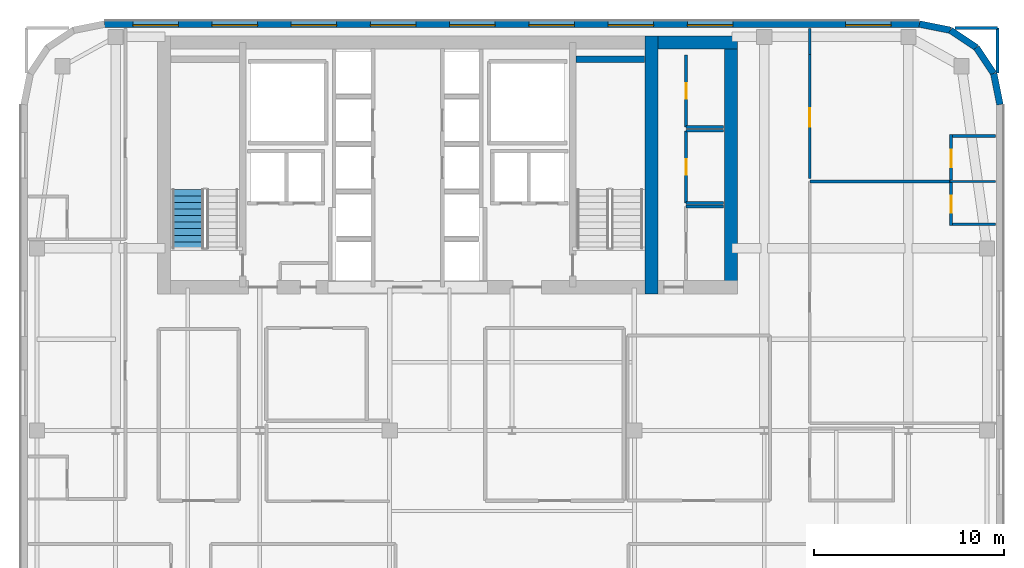
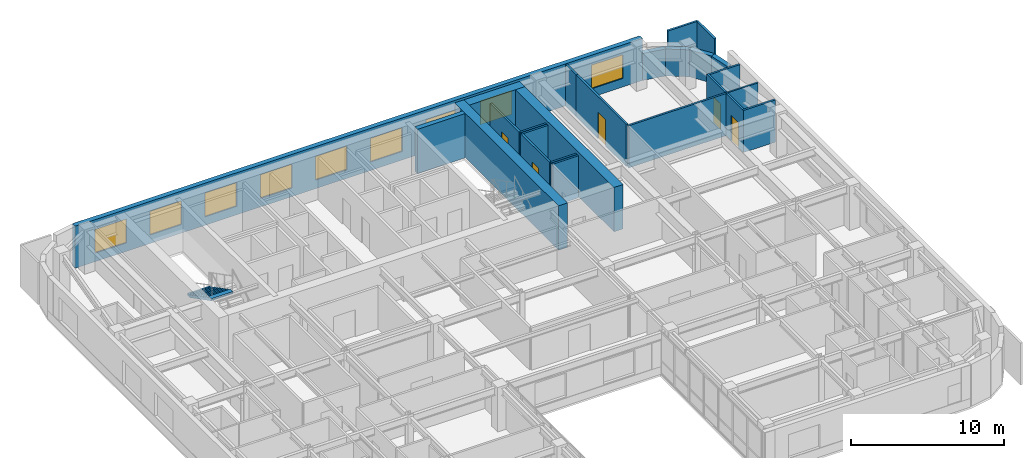
# One storey, part 14 of 20: 25 walls, 9 windows, 5 doors, 1 stair flight, 14 openings, 1 element without a shape of its own.
"""IFC4 building model written with IfcOpenShell, lengths in metres."""

from ifc_helpers import new_model, si_unit, direction, frame, frame_2d, origin, place, context, subcontext, project, spatial, polyline, rectangle, outline, extrude, source, transform, mapped, material, layer, layer_set, type_object, type_shapes, element, fill, aggregate, save


model = new_model("IFC4")

# Units and contexts
model_context = context("Model", 3, precision=1e-05, world=origin(), true_north=direction((0.0, 1.0)))
body_context = subcontext(model_context, "Body", "Model", "MODEL_VIEW")
ifc_project = project(units=[si_unit("LENGTHUNIT", "METRE"), si_unit("AREAUNIT", "SQUARE_METRE"), si_unit("VOLUMEUNIT", "CUBIC_METRE"), si_unit("PLANEANGLEUNIT", "RADIAN"), si_unit("MASSUNIT", "GRAM", prefix="KILO")], contexts=[model_context])

# Site, building, storey
site_placement = place(None, origin())
site = spatial("IfcSite", under=ifc_project, at=site_placement, CompositionType="ELEMENT")
building_placement = place(site_placement, origin())
building = spatial("IfcBuilding", under=site, at=building_placement, Name="Tolvann Quenvar Hotel", CompositionType="ELEMENT")
storey_placement = place(building_placement, frame((0.0, 0.0, 175.449951171875)))
storey = spatial("IfcBuildingStorey", under=building, at=storey_placement, Name="L46", CompositionType="ELEMENT", Elevation=175.449951171875)

# Walls
ifc_material_1 = material(Name="Concrete S65 (65 MPa)", Category="concrete")
ifc_layer_1 = layer(ifc_material_1, 0.699951171875)
ifc_layer_set_1 = layer_set([ifc_layer_1], Name="Concrete S65 (65 MPa)")
wall_type_1 = type_object("IfcWallType", Name="WALL_CORE_700", PredefinedType="SHEAR", material=ifc_layer_set_1)
wall_1_placement = place(storey_placement, frame((35.85009765625, 31.60009765625, 0.0), z_axis=(0.0, 0.0, 1.0), x_axis=(0.0, 1.0, 0.0)))
element("IfcWall", 1, at=wall_1_placement, inside=storey, type_object=wall_type_1, Name="Rear Core E Shear Wall (L46)", PredefinedType="SHEAR", context=body_context, shape_type="SweptSolid", body=[
    extrude(rectangle(XDim=13.599853515625, YDim=0.699951171875, at=frame_2d((6.7998046875, 0.0))), origin(), (0.0, 0.0, 1.0), 3.550048828125),
])
wall_2_placement = place(storey_placement, frame((36.199951171875, 44.85009765625, 0.0), z_axis=(0.0, 0.0, 1.0), x_axis=(1.0, 0.0, 0.0)))
element("IfcWall", 2, at=wall_2_placement, inside=storey, type_object=wall_type_1, Name="Core East Annex Shear Wall ANN-N (L46)", PredefinedType="SHEAR", context=body_context, shape_type="SweptSolid", body=[
    extrude(rectangle(XDim=4.199951171875, YDim=0.699951171875, at=frame_2d((2.10009765625, 0.0))), origin(), (0.0, 0.0, 1.0), 3.550048828125),
])
wall_3_placement = place(storey_placement, frame((40.050048828125, 31.60009765625, 0.0), z_axis=(0.0, 0.0, 1.0), x_axis=(0.0, 1.0, 0.0)))
element("IfcWall", 3, at=wall_3_placement, inside=storey, type_object=wall_type_1, Name="Core East Annex Shear Wall ANN-E (L46)", PredefinedType="SHEAR", context=body_context, shape_type="SweptSolid", body=[
    extrude(rectangle(XDim=13.599853515625, YDim=0.699951171875, at=frame_2d((6.7998046875, 0.0))), origin(), (0.0, 0.0, 1.0), 3.550048828125),
])
ifc_layer_2 = layer(ifc_material_1, 0.35009765625)
ifc_layer_set_2 = layer_set([ifc_layer_2], Name="Concrete S65 (65 MPa)")
wall_type_2 = type_object("IfcWallType", Name="WALL_CORE_INT_350", PredefinedType="SHEAR", material=ifc_layer_set_2)
wall_4_placement = place(storey_placement, frame((31.8798828125, 43.97509765625, 0.0), z_axis=(0.0, 0.0, 1.0), x_axis=(1.0, 0.0, 0.0)))
element("IfcWall", 4, at=wall_4_placement, inside=storey, type_object=wall_type_2, Name="Core Stair North Closing Shear Wall STC2-N (L46)", PredefinedType="SHEAR", context=body_context, shape_type="SweptSolid", body=[
    extrude(rectangle(XDim=3.60009765625, YDim=0.35009765625, at=frame_2d((1.800048828125, 0.0))), origin(), (0.0, 0.0, 1.0), 3.550048828125),
])
ifc_material_2 = material(Name="Kiln-fired red and buff architectural clay brickwork and terracotta masonry", Category="masonry")
ifc_layer_3 = layer(ifc_material_2, 0.35009765625)
ifc_layer_set_3 = layer_set([ifc_layer_3], Name="Kiln-fired red and buff architectural clay brickwork and terracotta masonry")
wall_type_3 = type_object("IfcWallType", Name="WALL_EXT_BRICK_350", PredefinedType="SOLIDWALL", material=ifc_layer_set_3)
wall_5_placement = place(storey_placement, frame((54.22509765625, 41.582763671875, 0.0), z_axis=(0.0, 0.0, 1.0), x_axis=(-0.195044345786, 0.980794424524, 0.0)))
element("IfcWall", 5, at=wall_5_placement, inside=storey, type_object=wall_type_3, Name="Exterior Chicago Brick Wall L46-E14", PredefinedType="SOLIDWALL", context=body_context, shape_type="SweptSolid", body=[
    extrude(rectangle(XDim=1.664794921875, YDim=0.35009765625, at=frame_2d((0.83251953125, 0.0))), origin(), (0.0, 0.0, 1.0), 2.16015625),
])
for number, where, z_axis, x_axis, name in (
    (6, (53.900390625, 43.215576171875, 0.0), (0.0, 0.0, 1.0), (-0.555623290322, 0.831434158098, 0.0), "Exterior Chicago Brick Wall L46-E15"),
    (7, (52.985107421875, 44.585205078125, 0.0), (0.0, 0.0, 1.0), (-0.831502623162, 0.555520825599, 0.0), "Exterior Chicago Brick Wall L46-E16"),
):
    element("IfcWall", number, at=place(storey_placement, frame(where, z_axis=z_axis, x_axis=x_axis)), inside=storey, type_object=wall_type_3, Name=name, PredefinedType="SOLIDWALL", context=body_context, shape_type="SweptSolid", body=[
        extrude(rectangle(XDim=1.647216796875, YDim=0.35009765625, at=frame_2d((0.82373046875, 0.0))), origin(), (0.0, 0.0, 1.0), 2.16015625),
    ])
wall_6_placement = place(storey_placement, frame((51.615478515625, 45.500244140625, 0.0), z_axis=(0.0, 0.0, 1.0), x_axis=(-0.980788844421, 0.195072403631, 0.0)))
element("IfcWall", 8, at=wall_6_placement, inside=storey, type_object=wall_type_3, Name="Exterior Chicago Brick Wall L46-E17", PredefinedType="SOLIDWALL", context=body_context, shape_type="SweptSolid", body=[
    extrude(rectangle(XDim=1.66455078125, YDim=0.35009765625, at=frame_2d((0.832275390625, 0.0))), origin(), (0.0, 0.0, 1.0), 2.16015625),
])

# Wall, openings, windows
wall_7_placement = place(storey_placement, frame((49.98291015625, 45.824951171875, 0.0), z_axis=(0.0, 0.0, 1.0), x_axis=(-1.0, 0.0, 0.0)))
wall_7 = element("IfcWall", 9, at=wall_7_placement, inside=storey, type_object=wall_type_3, Name="Exterior Chicago Brick Wall L46-E18", PredefinedType="SOLIDWALL", context=body_context, shape_type="SweptSolid", body=[
    extrude(rectangle(XDim=42.9658203125, YDim=0.35009765625, at=frame_2d((21.48291015625, 0.0))), origin(), (0.0, 0.0, 1.0), 3.3701171875),
])
opening_1_placement = place(wall_7_placement, frame((1.488037109375, 0.0, 0.679931640625)))
opening_1 = element("IfcOpeningElement", 10, at=opening_1_placement, cuts=wall_7, Name="Opening W-01", PredefinedType="OPENING", context=body_context, shape_type="SweptSolid", body=[
    extrude(rectangle(XDim=2.39990234375, YDim=1.89990234375, at=frame_2d((1.199951171875, 0.949951171875))), frame((0.0, 0.18505859375, 0.0), z_axis=(0.0, -1.0, 0.0), x_axis=(1.0, 0.0, 0.0)), (0.0, 0.0, 1.0), 0.3701171875),
])
opening_2_placement = place(wall_7_placement, frame((9.841064453125, 0.0, 0.679931640625)))
opening_2 = element("IfcOpeningElement", 11, at=opening_2_placement, cuts=wall_7, Name="Opening W-01", PredefinedType="OPENING", context=body_context, shape_type="SweptSolid", body=[
    extrude(rectangle(XDim=2.39990234375, YDim=1.89990234375, at=frame_2d((1.199951171875, 0.949951171875))), frame((0.0, 0.18505859375, 0.0), z_axis=(0.0, -1.0, 0.0), x_axis=(1.0, 0.0, 0.0)), (0.0, 0.0, 1.0), 0.3701171875),
])
opening_3_placement = place(wall_7_placement, frame((14.01806640625, 0.0, 0.679931640625)))
opening_3 = element("IfcOpeningElement", 12, at=opening_3_placement, cuts=wall_7, Name="Opening W-01", PredefinedType="OPENING", context=body_context, shape_type="SweptSolid", body=[
    extrude(rectangle(XDim=2.39990234375, YDim=1.89990234375, at=frame_2d((1.199951171875, 0.949951171875))), frame((0.0, 0.18505859375, 0.0), z_axis=(0.0, -1.0, 0.0), x_axis=(1.0, 0.0, 0.0)), (0.0, 0.0, 1.0), 0.3701171875),
])
opening_4_placement = place(wall_7_placement, frame((18.195068359375, 0.0, 0.679931640625)))
opening_4 = element("IfcOpeningElement", 13, at=opening_4_placement, cuts=wall_7, Name="Opening W-01", PredefinedType="OPENING", context=body_context, shape_type="SweptSolid", body=[
    extrude(rectangle(XDim=2.39990234375, YDim=1.89990234375, at=frame_2d((1.199951171875, 0.949951171875))), frame((0.0, 0.18505859375, 0.0), z_axis=(0.0, -1.0, 0.0), x_axis=(1.0, 0.0, 0.0)), (0.0, 0.0, 1.0), 0.3701171875),
])
opening_5_placement = place(wall_7_placement, frame((22.37109375, 0.0, 0.679931640625)))
opening_5 = element("IfcOpeningElement", 14, at=opening_5_placement, cuts=wall_7, Name="Opening W-01", PredefinedType="OPENING", context=body_context, shape_type="SweptSolid", body=[
    extrude(rectangle(XDim=2.39990234375, YDim=1.89990234375, at=frame_2d((1.199951171875, 0.949951171875))), frame((0.0, 0.18505859375, 0.0), z_axis=(0.0, -1.0, 0.0), x_axis=(1.0, 0.0, 0.0)), (0.0, 0.0, 1.0), 0.3701171875),
])
opening_6_placement = place(wall_7_placement, frame((26.548095703125, 0.0, 0.679931640625)))
opening_6 = element("IfcOpeningElement", 15, at=opening_6_placement, cuts=wall_7, Name="Opening W-01", PredefinedType="OPENING", context=body_context, shape_type="SweptSolid", body=[
    extrude(rectangle(XDim=2.39990234375, YDim=1.89990234375, at=frame_2d((1.199951171875, 0.949951171875))), frame((0.0, 0.18505859375, 0.0), z_axis=(0.0, -1.0, 0.0), x_axis=(1.0, 0.0, 0.0)), (0.0, 0.0, 1.0), 0.3701171875),
])
opening_7_placement = place(wall_7_placement, frame((30.72412109375, 0.0, 0.679931640625)))
opening_7 = element("IfcOpeningElement", 16, at=opening_7_placement, cuts=wall_7, Name="Opening W-01", PredefinedType="OPENING", context=body_context, shape_type="SweptSolid", body=[
    extrude(rectangle(XDim=2.39990234375, YDim=1.89990234375, at=frame_2d((1.199951171875, 0.949951171875))), frame((0.0, 0.18505859375, 0.0), z_axis=(0.0, -1.0, 0.0), x_axis=(1.0, 0.0, 0.0)), (0.0, 0.0, 1.0), 0.3701171875),
])
opening_8_placement = place(wall_7_placement, frame((34.90087890625, 0.0, 0.679931640625)))
opening_8 = element("IfcOpeningElement", 17, at=opening_8_placement, cuts=wall_7, Name="Opening W-01", PredefinedType="OPENING", context=body_context, shape_type="SweptSolid", body=[
    extrude(rectangle(XDim=2.39990234375, YDim=1.89990234375, at=frame_2d((1.199951171875, 0.949951171875))), frame((0.0, 0.18505859375, 0.0), z_axis=(0.0, -1.0, 0.0), x_axis=(1.0, 0.0, 0.0)), (0.0, 0.0, 1.0), 0.3701171875),
])
opening_9_placement = place(wall_7_placement, frame((39.076904296875, 0.0, 0.679931640625)))
opening_9 = element("IfcOpeningElement", 18, at=opening_9_placement, cuts=wall_7, Name="Opening W-01", PredefinedType="OPENING", context=body_context, shape_type="SweptSolid", body=[
    extrude(rectangle(XDim=2.39990234375, YDim=1.89990234375, at=frame_2d((1.199951171875, 0.949951171875))), frame((0.0, 0.18505859375, 0.0), z_axis=(0.0, -1.0, 0.0), x_axis=(1.0, 0.0, 0.0)), (0.0, 0.0, 1.0), 0.3701171875),
])
ifc_material_3 = material(Name="Thermally broken bronze-anodised aluminium frame with double low-E glazing", Category="aluminium")
window_type = type_object("IfcWindowType", Name="WIN_CHI_2400x2050", PartitioningType="TRIPLE_PANEL_HORIZONTAL", PredefinedType="WINDOW", material=ifc_material_3)
shared_shape_1 = source(origin(), body_context, "Body", "SweptSolid", [
    extrude(rectangle(XDim=2.39990234375, YDim=1.89990234375, at=frame_2d((1.199951171875, 0.949951171875))), frame((0.0, 0.090087890625, 0.0), z_axis=(0.0, -1.0, 0.0), x_axis=(1.0, 0.0, 0.0)), (0.0, 0.0, 1.0), 0.06005859375),
])
type_shapes(window_type, [shared_shape_1])
window_1_placement = place(opening_1_placement, origin())
window_1 = element("IfcWindow", 19, at=window_1_placement, inside=storey, type_object=window_type, Name="Chicago Window W-01 (EW-L46-E18-W01)", OverallHeight=1.89990234375, OverallWidth=2.39990234375, PartitioningType="TRIPLE_PANEL_HORIZONTAL", PredefinedType="WINDOW", context=body_context, shape_type="MappedRepresentation", body=[
    mapped(shared_shape_1, transform((0.0, 0.0, 0.0), x_axis=(1.0, 0.0, 0.0), y_axis=(0.0, 1.0, 0.0), z_axis=(0.0, 0.0, 1.0), scale=1.0)),
])
fill(opening_1, window_1)
window_2_placement = place(opening_2_placement, origin())
window_2 = element("IfcWindow", 20, at=window_2_placement, inside=storey, type_object=window_type, Name="Chicago Window W-01 (EW-L46-E18-W02)", OverallHeight=1.89990234375, OverallWidth=2.39990234375, PartitioningType="TRIPLE_PANEL_HORIZONTAL", PredefinedType="WINDOW", context=body_context, shape_type="MappedRepresentation", body=[
    mapped(shared_shape_1, transform((0.0, 0.0, 0.0), x_axis=(1.0, 0.0, 0.0), y_axis=(0.0, 1.0, 0.0), z_axis=(0.0, 0.0, 1.0), scale=1.0)),
])
fill(opening_2, window_2)
window_3_placement = place(opening_3_placement, origin())
window_3 = element("IfcWindow", 21, at=window_3_placement, inside=storey, type_object=window_type, Name="Chicago Window W-01 (EW-L46-E18-W03)", OverallHeight=1.89990234375, OverallWidth=2.39990234375, PartitioningType="TRIPLE_PANEL_HORIZONTAL", PredefinedType="WINDOW", context=body_context, shape_type="MappedRepresentation", body=[
    mapped(shared_shape_1, transform((0.0, 0.0, 0.0), x_axis=(1.0, 0.0, 0.0), y_axis=(0.0, 1.0, 0.0), z_axis=(0.0, 0.0, 1.0), scale=1.0)),
])
fill(opening_3, window_3)
window_4_placement = place(opening_4_placement, origin())
window_4 = element("IfcWindow", 22, at=window_4_placement, inside=storey, type_object=window_type, Name="Chicago Window W-01 (EW-L46-E18-W04)", OverallHeight=1.89990234375, OverallWidth=2.39990234375, PartitioningType="TRIPLE_PANEL_HORIZONTAL", PredefinedType="WINDOW", context=body_context, shape_type="MappedRepresentation", body=[
    mapped(shared_shape_1, transform((0.0, 0.0, 0.0), x_axis=(1.0, 0.0, 0.0), y_axis=(0.0, 1.0, 0.0), z_axis=(0.0, 0.0, 1.0), scale=1.0)),
])
fill(opening_4, window_4)
window_5_placement = place(opening_5_placement, origin())
window_5 = element("IfcWindow", 23, at=window_5_placement, inside=storey, type_object=window_type, Name="Chicago Window W-01 (EW-L46-E18-W05)", OverallHeight=1.89990234375, OverallWidth=2.39990234375, PartitioningType="TRIPLE_PANEL_HORIZONTAL", PredefinedType="WINDOW", context=body_context, shape_type="MappedRepresentation", body=[
    mapped(shared_shape_1, transform((0.0, 0.0, 0.0), x_axis=(1.0, 0.0, 0.0), y_axis=(0.0, 1.0, 0.0), z_axis=(0.0, 0.0, 1.0), scale=1.0)),
])
fill(opening_5, window_5)
window_6_placement = place(opening_6_placement, origin())
window_6 = element("IfcWindow", 24, at=window_6_placement, inside=storey, type_object=window_type, Name="Chicago Window W-01 (EW-L46-E18-W06)", OverallHeight=1.89990234375, OverallWidth=2.39990234375, PartitioningType="TRIPLE_PANEL_HORIZONTAL", PredefinedType="WINDOW", context=body_context, shape_type="MappedRepresentation", body=[
    mapped(shared_shape_1, transform((0.0, 0.0, 0.0), x_axis=(1.0, 0.0, 0.0), y_axis=(0.0, 1.0, 0.0), z_axis=(0.0, 0.0, 1.0), scale=1.0)),
])
fill(opening_6, window_6)
window_7_placement = place(opening_7_placement, origin())
window_7 = element("IfcWindow", 25, at=window_7_placement, inside=storey, type_object=window_type, Name="Chicago Window W-01 (EW-L46-E18-W07)", OverallHeight=1.89990234375, OverallWidth=2.39990234375, PartitioningType="TRIPLE_PANEL_HORIZONTAL", PredefinedType="WINDOW", context=body_context, shape_type="MappedRepresentation", body=[
    mapped(shared_shape_1, transform((0.0, 0.0, 0.0), x_axis=(1.0, 0.0, 0.0), y_axis=(0.0, 1.0, 0.0), z_axis=(0.0, 0.0, 1.0), scale=1.0)),
])
fill(opening_7, window_7)
window_8_placement = place(opening_8_placement, origin())
window_8 = element("IfcWindow", 26, at=window_8_placement, inside=storey, type_object=window_type, Name="Chicago Window W-01 (EW-L46-E18-W08)", OverallHeight=1.89990234375, OverallWidth=2.39990234375, PartitioningType="TRIPLE_PANEL_HORIZONTAL", PredefinedType="WINDOW", context=body_context, shape_type="MappedRepresentation", body=[
    mapped(shared_shape_1, transform((0.0, 0.0, 0.0), x_axis=(1.0, 0.0, 0.0), y_axis=(0.0, 1.0, 0.0), z_axis=(0.0, 0.0, 1.0), scale=1.0)),
])
fill(opening_8, window_8)
window_9_placement = place(opening_9_placement, origin())
window_9 = element("IfcWindow", 27, at=window_9_placement, inside=storey, type_object=window_type, Name="Chicago Window W-01 (EW-L46-E18-W09)", OverallHeight=1.89990234375, OverallWidth=2.39990234375, PartitioningType="TRIPLE_PANEL_HORIZONTAL", PredefinedType="WINDOW", context=body_context, shape_type="MappedRepresentation", body=[
    mapped(shared_shape_1, transform((0.0, 0.0, 0.0), x_axis=(1.0, 0.0, 0.0), y_axis=(0.0, 1.0, 0.0), z_axis=(0.0, 0.0, 1.0), scale=1.0)),
])
fill(opening_9, window_9)

# Wall
ifc_material_4 = material(Name="Moisture-resistant acoustic plumbing wall assembly")
ifc_layer_4 = layer(ifc_material_4, 0.1201171875)
ifc_layer_set_4 = layer_set([ifc_layer_4], Name="Moisture-resistant acoustic plumbing wall assembly")
wall_type_4 = type_object("IfcWallType", Name="WALL_PART_BATH_120", PredefinedType="PLUMBINGWALL", material=ifc_layer_set_4)
wall_8_placement = place(storey_placement, frame((51.580078125, 37.52001953125, 0.0), z_axis=(0.0, 0.0, 1.0), x_axis=(1.0, 0.0, 0.0)))
element("IfcWall", 28, at=wall_8_placement, inside=storey, type_object=wall_type_4, Name="Non-Rated Plumbing Partition PT-SPC-L46-ENS-NE01-N", PredefinedType="PLUMBINGWALL", context=body_context, shape_type="SweptSolid", body=[
    extrude(rectangle(XDim=2.4150390625, YDim=0.1201171875, at=frame_2d((1.20751953125, 0.0))), origin(), (0.0, 0.0, 1.0), 3.3701171875),
])

# Wall, opening, door
ifc_material_5 = material(Name="Acoustic twin-stud fire-rated gypsum plasterboard partition")
ifc_layer_5 = layer(ifc_material_5, 0.14990234375)
ifc_layer_set_5 = layer_set([ifc_layer_5], Name="Acoustic twin-stud fire-rated gypsum plasterboard partition")
wall_type_5 = type_object("IfcWallType", Name="WALL_PART_SUITE_150", PredefinedType="PARTITIONING", material=ifc_layer_set_5)
wall_9_placement = place(storey_placement, frame((51.64990234375, 35.199951171875, 0.0), z_axis=(0.0, 0.0, 1.0), x_axis=(0.0, 1.0, 0.0)))
wall_9 = element("IfcWall", 29, at=wall_9_placement, inside=storey, type_object=wall_type_5, Name="Interior Partition PT-SPC-L46-ENS-NE01-ENT", PredefinedType="PARTITIONING", context=body_context, shape_type="SweptSolid", body=[
    extrude(rectangle(XDim=2.39013671875, YDim=0.14990234375, at=frame_2d((1.195068359375, 0.0))), origin(), (0.0, 0.0, 1.0), 3.3701171875),
])
opening_10_placement = place(wall_9_placement, frame((0.6650390625, 0.0, 0.0)))
opening_10 = element("IfcOpeningElement", 30, at=opening_10_placement, cuts=wall_9, Name="Opening WD-01", PredefinedType="OPENING", context=body_context, shape_type="SweptSolid", body=[
    extrude(rectangle(XDim=0.919921875, YDim=2.010009765625, at=frame_2d((0.4599609375, 1.0048828125))), frame((0.0, 0.0849609375, 0.0), z_axis=(0.0, -1.0, 0.0), x_axis=(1.0, 0.0, 0.0)), (0.0, 0.0, 1.0), 0.169921875),
])
ifc_material_6 = material(Name="Solid-core American oak acoustic fire door leaf in steel frame", Category="steel")
door_type_1 = type_object("IfcDoorType", Name="DOOR_WC_920", OperationType="NOTDEFINED", PredefinedType="DOOR", material=ifc_material_6)
shared_shape_2 = source(origin(), body_context, "Body", "SweptSolid", [
    extrude(rectangle(XDim=0.919921875, YDim=2.010009765625, at=frame_2d((0.4599609375, 1.0048828125))), frame((0.0, 0.02490234375, 0.0), z_axis=(0.0, -1.0, 0.0), x_axis=(1.0, 0.0, 0.0)), (0.0, 0.0, 1.0), 0.050048828125),
])
type_shapes(door_type_1, [shared_shape_2])
door_1_placement = place(opening_10_placement, origin())
door_1 = element("IfcDoor", 31, at=door_1_placement, inside=storey, type_object=door_type_1, Name="Interior Door DOOR-SPC-L46-ENS-NE01", OperationType="SINGLE_SWING_RIGHT", OverallHeight=2.010009765625, OverallWidth=0.919921875, PredefinedType="DOOR", context=body_context, shape_type="MappedRepresentation", body=[
    mapped(shared_shape_2, transform((0.0, 0.0, 0.0), x_axis=(1.0, 0.0, 0.0), y_axis=(0.0, 1.0, 0.0), z_axis=(0.0, 0.0, 1.0), scale=1.0)),
])
fill(opening_10, door_1)

# Wall
wall_10_placement = place(storey_placement, frame((51.580078125, 35.27001953125, 0.0), z_axis=(0.0, 0.0, 1.0), x_axis=(1.0, 0.0, 0.0)))
element("IfcWall", 32, at=wall_10_placement, inside=storey, type_object=wall_type_5, Name="Interior Partition PT-SPC-L46-ENS-NE01-S", PredefinedType="PARTITIONING", context=body_context, shape_type="SweptSolid", body=[
    extrude(rectangle(XDim=2.4150390625, YDim=0.14990234375, at=frame_2d((1.20751953125, 0.0))), origin(), (0.0, 0.0, 1.0), 3.3701171875),
])

# Wall, opening, door
wall_11_placement = place(storey_placement, frame((51.64990234375, 37.610107421875, 0.0), z_axis=(0.0, 0.0, 1.0), x_axis=(0.0, 1.0, 0.0)))
wall_11 = element("IfcWall", 33, at=wall_11_placement, inside=storey, type_object=wall_type_5, Name="Interior Partition PT-SPC-L46-ENS-NE02-ENT", PredefinedType="PARTITIONING", context=body_context, shape_type="SweptSolid", body=[
    extrude(rectangle(XDim=2.389892578125, YDim=0.14990234375, at=frame_2d((1.19482421875, 0.0))), origin(), (0.0, 0.0, 1.0), 3.3701171875),
])
opening_11_placement = place(wall_11_placement, frame((0.6650390625, 0.0, 0.0)))
opening_11 = element("IfcOpeningElement", 34, at=opening_11_placement, cuts=wall_11, Name="Opening WD-01", PredefinedType="OPENING", context=body_context, shape_type="SweptSolid", body=[
    extrude(rectangle(XDim=0.919921875, YDim=2.010009765625, at=frame_2d((0.4599609375, 1.0048828125))), frame((0.0, 0.0849609375, 0.0), z_axis=(0.0, -1.0, 0.0), x_axis=(1.0, 0.0, 0.0)), (0.0, 0.0, 1.0), 0.169921875),
])
door_2_placement = place(opening_11_placement, origin())
door_2 = element("IfcDoor", 35, at=door_2_placement, inside=storey, type_object=door_type_1, Name="Interior Door DOOR-SPC-L46-ENS-NE02", OperationType="SINGLE_SWING_LEFT", OverallHeight=2.010009765625, OverallWidth=0.919921875, PredefinedType="DOOR", context=body_context, shape_type="MappedRepresentation", body=[
    mapped(shared_shape_2, transform((0.0, 0.0, 0.0), x_axis=(1.0, 0.0, 0.0), y_axis=(0.0, 1.0, 0.0), z_axis=(0.0, 0.0, 1.0), scale=1.0)),
])
fill(opening_11, door_2)

# Walls
wall_12_placement = place(storey_placement, frame((51.580078125, 39.929931640625, 0.0), z_axis=(0.0, 0.0, 1.0), x_axis=(1.0, 0.0, 0.0)))
element("IfcWall", 36, at=wall_12_placement, inside=storey, type_object=wall_type_5, Name="Interior Partition PT-SPC-L46-ENS-NE02-N", PredefinedType="PARTITIONING", context=body_context, shape_type="SweptSolid", body=[
    extrude(rectangle(XDim=2.4150390625, YDim=0.14990234375, at=frame_2d((1.20751953125, 0.0))), origin(), (0.0, 0.0, 1.0), 3.3701171875),
])
for number, where, z_axis, x_axis, name in (
    (37, (37.679931640625, 36.199951171875, 0.0), (0.0, 0.0, 1.0), (1.0, 0.0, 0.0), "Interior Partition PT-SPC-L46-RECPL-1-N"),
    (38, (37.679931640625, 36.39990234375, 0.0), (0.0, 0.0, 1.0), (1.0, 0.0, 0.0), "Interior Partition PT-SPC-L46-CSE-1-S"),
    (39, (37.679931640625, 40.199951171875, 0.0), (0.0, 0.0, 1.0), (1.0, 0.0, 0.0), "Interior Partition PT-SPC-L46-CSE-1-N"),
):
    element("IfcWall", number, at=place(storey_placement, frame(where, z_axis=z_axis, x_axis=x_axis)), inside=storey, type_object=wall_type_5, Name=name, PredefinedType="PARTITIONING", context=body_context, shape_type="SweptSolid", body=[
        extrude(rectangle(XDim=1.965087890625, YDim=0.14990234375, at=frame_2d((0.982421875, 0.0))), origin(), (0.0, 0.0, 1.0), 3.3701171875),
    ])

# Wall, opening, door
wall_13_placement = place(storey_placement, frame((37.679931640625, 36.39990234375, 0.0), z_axis=(0.0, 0.0, 1.0), x_axis=(0.0, 1.0, 0.0)))
wall_13 = element("IfcWall", 40, at=wall_13_placement, inside=storey, type_object=wall_type_5, Name="Interior Partition PT-SPC-L46-CSE-1-W", PredefinedType="PARTITIONING", context=body_context, shape_type="SweptSolid", body=[
    extrude(rectangle(XDim=3.800048828125, YDim=0.14990234375, at=frame_2d((1.89990234375, 0.0))), origin(), (0.0, 0.0, 1.0), 3.3701171875),
])
opening_12_placement = place(wall_13_placement, frame((1.489990234375, 0.0, 0.0)))
opening_12 = element("IfcOpeningElement", 41, at=opening_12_placement, cuts=wall_13, Name="Opening HD-02", PredefinedType="OPENING", context=body_context, shape_type="SweptSolid", body=[
    extrude(rectangle(XDim=0.820068359375, YDim=2.010009765625, at=frame_2d((0.41015625, 1.0048828125))), frame((0.0, 0.0849609375, 0.0), z_axis=(0.0, -1.0, 0.0), x_axis=(1.0, 0.0, 0.0)), (0.0, 0.0, 1.0), 0.169921875),
])
ifc_material_7 = material(Name="Pressed galvanised steel fire-rated door set", Category="steel")
door_type_2 = type_object("IfcDoorType", Name="DOOR_STORE_820", OperationType="NOTDEFINED", PredefinedType="DOOR", material=ifc_material_7)
shared_shape_3 = source(origin(), body_context, "Body", "SweptSolid", [
    extrude(rectangle(XDim=0.820068359375, YDim=2.010009765625, at=frame_2d((0.41015625, 1.0048828125))), frame((0.0, 0.02490234375, 0.0), z_axis=(0.0, -1.0, 0.0), x_axis=(1.0, 0.0, 0.0)), (0.0, 0.0, 1.0), 0.050048828125),
])
type_shapes(door_type_2, [shared_shape_3])
door_3_placement = place(opening_12_placement, origin())
door_3 = element("IfcDoor", 42, at=door_3_placement, inside=storey, type_object=door_type_2, Name="Interior Door DOOR-SPC-L46-CSE-1", OperationType="SINGLE_SWING_LEFT", OverallHeight=2.010009765625, OverallWidth=0.820068359375, PredefinedType="DOOR", context=body_context, shape_type="MappedRepresentation", body=[
    mapped(shared_shape_3, transform((0.0, 0.0, 0.0), x_axis=(1.0, 0.0, 0.0), y_axis=(0.0, 1.0, 0.0), z_axis=(0.0, 0.0, 1.0), scale=1.0)),
])
fill(opening_12, door_3)

# Wall
wall_14_placement = place(storey_placement, frame((37.679931640625, 40.39990234375, 0.0), z_axis=(0.0, 0.0, 1.0), x_axis=(1.0, 0.0, 0.0)))
element("IfcWall", 43, at=wall_14_placement, inside=storey, type_object=wall_type_5, Name="Interior Partition PT-SPC-L46-CSE-2-S", PredefinedType="PARTITIONING", context=body_context, shape_type="SweptSolid", body=[
    extrude(rectangle(XDim=1.965087890625, YDim=0.14990234375, at=frame_2d((0.982421875, 0.0))), origin(), (0.0, 0.0, 1.0), 3.3701171875),
])

# Wall, opening, door
wall_15_placement = place(storey_placement, frame((37.679931640625, 40.39990234375, 0.0), z_axis=(0.0, 0.0, 1.0), x_axis=(0.0, 1.0, 0.0)))
wall_15 = element("IfcWall", 44, at=wall_15_placement, inside=storey, type_object=wall_type_5, Name="Interior Partition PT-SPC-L46-CSE-2-W", PredefinedType="PARTITIONING", context=body_context, shape_type="SweptSolid", body=[
    extrude(rectangle(XDim=3.800048828125, YDim=0.14990234375, at=frame_2d((1.89990234375, 0.0))), origin(), (0.0, 0.0, 1.0), 3.3701171875),
])
opening_13_placement = place(wall_15_placement, frame((1.489990234375, 0.0, 0.0)))
opening_13 = element("IfcOpeningElement", 45, at=opening_13_placement, cuts=wall_15, Name="Opening HD-02", PredefinedType="OPENING", context=body_context, shape_type="SweptSolid", body=[
    extrude(rectangle(XDim=0.820068359375, YDim=2.010009765625, at=frame_2d((0.41015625, 1.0048828125))), frame((0.0, 0.0849609375, 0.0), z_axis=(0.0, -1.0, 0.0), x_axis=(1.0, 0.0, 0.0)), (0.0, 0.0, 1.0), 0.169921875),
])
door_4_placement = place(opening_13_placement, origin())
door_4 = element("IfcDoor", 46, at=door_4_placement, inside=storey, type_object=door_type_2, Name="Interior Door DOOR-SPC-L46-CSE-2", OperationType="SINGLE_SWING_RIGHT", OverallHeight=2.010009765625, OverallWidth=0.820068359375, PredefinedType="DOOR", context=body_context, shape_type="MappedRepresentation", body=[
    mapped(shared_shape_3, transform((0.0, 0.0, 0.0), x_axis=(1.0, 0.0, 0.0), y_axis=(0.0, 1.0, 0.0), z_axis=(0.0, 0.0, 1.0), scale=1.0)),
])
fill(opening_13, door_4)

# Wall
wall_16_placement = place(storey_placement, frame((44.199951171875, 37.52001953125, 0.0), z_axis=(0.0, 0.0, 1.0), x_axis=(1.0, 0.0, 0.0)))
element("IfcWall", 47, at=wall_16_placement, inside=storey, type_object=wall_type_5, Name="Interior Partition PT-SPC-L46-RM-NE01-E5", PredefinedType="PARTITIONING", context=body_context, shape_type="SweptSolid", body=[
    extrude(rectangle(XDim=7.429931640625, YDim=0.14990234375, at=frame_2d((3.71484375, 0.0))), origin(), (0.0, 0.0, 1.0), 3.3701171875),
])

# Wall, opening, door
wall_17_placement = place(storey_placement, frame((44.199951171875, 37.679931640625, 0.0), z_axis=(0.0, 0.0, 1.0), x_axis=(0.0, 1.0, 0.0)))
wall_17 = element("IfcWall", 48, at=wall_17_placement, inside=storey, type_object=wall_type_5, Name="Interior Partition PT-SPC-L46-RM-NE02-ENT", PredefinedType="PARTITIONING", context=body_context, shape_type="SweptSolid", body=[
    extrude(rectangle(XDim=6.530029296875, YDim=0.14990234375, at=frame_2d((3.26513671875, 0.0))), origin(), (0.0, 0.0, 1.0), 3.3701171875),
])
opening_14_placement = place(wall_17_placement, frame((2.719970703125, 0.0, 0.0)))
opening_14 = element("IfcOpeningElement", 49, at=opening_14_placement, cuts=wall_17, Name="Opening SD-01", PredefinedType="OPENING", context=body_context, shape_type="SweptSolid", body=[
    extrude(rectangle(XDim=0.97998046875, YDim=2.1201171875, at=frame_2d((0.489990234375, 1.06005859375))), frame((0.0, 0.0849609375, 0.0), z_axis=(0.0, -1.0, 0.0), x_axis=(1.0, 0.0, 0.0)), (0.0, 0.0, 1.0), 0.169921875),
])
door_type_3 = type_object("IfcDoorType", Name="DOOR_SUITE_980", OperationType="NOTDEFINED", PredefinedType="DOOR", material=ifc_material_6)
shared_shape_4 = source(origin(), body_context, "Body", "SweptSolid", [
    extrude(rectangle(XDim=0.97998046875, YDim=2.1201171875, at=frame_2d((0.489990234375, 1.06005859375))), frame((0.0, 0.02490234375, 0.0), z_axis=(0.0, -1.0, 0.0), x_axis=(1.0, 0.0, 0.0)), (0.0, 0.0, 1.0), 0.050048828125),
])
type_shapes(door_type_3, [shared_shape_4])
door_5_placement = place(opening_14_placement, origin())
door_5 = element("IfcDoor", 50, at=door_5_placement, inside=storey, type_object=door_type_3, Name="Interior Door DOOR-SPC-L46-RM-NE02", OperationType="SINGLE_SWING_RIGHT", OverallHeight=2.1201171875, OverallWidth=0.97998046875, PredefinedType="DOOR", context=body_context, shape_type="MappedRepresentation", body=[
    mapped(shared_shape_4, transform((0.0, 0.0, 0.0), x_axis=(1.0, 0.0, 0.0), y_axis=(0.0, 1.0, 0.0), z_axis=(0.0, 0.0, 1.0), scale=1.0)),
])
fill(opening_14, door_5)

# Walls
wall_18_placement = place(storey_placement, frame((54.10009765625, 43.2548828125, 0.0), z_axis=(0.0, 0.0, 1.0), x_axis=(0.0, 1.0, 0.0)))
element("IfcWall", 51, at=wall_18_placement, inside=storey, type_object=wall_type_5, Name="Interior Partition PT-SPC-L46-RM-NE02-E4", PredefinedType="PARTITIONING", context=body_context, shape_type="SweptSolid", body=[
    extrude(rectangle(XDim=2.365234375, YDim=0.14990234375, at=frame_2d((1.1826171875, 0.0))), origin(), (0.0, 0.0, 1.0), 3.3701171875),
])
wall_19_placement = place(storey_placement, frame((51.85009765625, 45.6201171875, 0.0), z_axis=(0.0, 0.0, 1.0), x_axis=(1.0, 0.0, 0.0)))
element("IfcWall", 52, at=wall_19_placement, inside=storey, type_object=wall_type_5, Name="Interior Partition PT-SPC-L46-RM-NE02-E5", PredefinedType="PARTITIONING", context=body_context, shape_type="SweptSolid", body=[
    extrude(rectangle(XDim=2.25, YDim=0.14990234375, at=frame_2d((1.125, 0.0))), origin(), (0.0, 0.0, 1.0), 3.3701171875),
])
wall_20_placement = place(storey_placement, frame((44.199951171875, 44.219970703125, 0.0), z_axis=(0.0, 0.0, 1.0), x_axis=(0.0, 1.0, 0.0)))
element("IfcWall", 53, at=wall_20_placement, inside=storey, type_object=wall_type_5, Name="Interior Partition PT-SPC-L46-RM-NE02-E6", PredefinedType="PARTITIONING", context=body_context, shape_type="SweptSolid", body=[
    extrude(rectangle(XDim=1.375, YDim=0.14990234375, at=frame_2d((0.6875, 0.0))), origin(), (0.0, 0.0, 1.0), 3.3701171875),
])

# Stair, stair flight
ifc_material_8 = material(Name="Concrete N40 (40 MPa)", Category="concrete")
stair_type = type_object("IfcStairType", Name="STAIR", PredefinedType="HALF_TURN_STAIR", material=ifc_material_8)
stair_placement = place(storey_placement, origin())
stair = element("IfcStair", 54, at=stair_placement, inside=storey, type_object=stair_type, Name="L46 ST-C1", PredefinedType="HALF_TURN_STAIR")
stair_flight_type = type_object("IfcStairFlightType", Name="STAIR_FLIGHT", PredefinedType="STRAIGHT", material=ifc_material_8)
stair_flight_placement = place(storey_placement, frame((11.425048828125, 37.10498046875, 1.775146484375), z_axis=(0.0, 0.0, 1.0), x_axis=(0.0, -1.0, 0.0)))
stair_flight = element("IfcStairFlight", 55, at=stair_flight_placement, type_object=stair_flight_type, Name="ST-C1 flight 2", NumberOfRisers=10, NumberOfTreads=9, PredefinedType="STRAIGHT", RiserHeight=0.1775, TreadLength=0.345, context=body_context, shape_type="SweptSolid", body=[
    extrude(outline(polyline([(0.0, 0.0), (0.0, 0.177490234375), (0.344970703125, 0.177490234375), (0.344970703125, 0.35498046875), (0.68994140625, 0.35498046875), (0.68994140625, 0.532470703125), (1.034912109375, 0.532470703125), (1.034912109375, 0.7099609375), (1.3798828125, 0.7099609375), (1.3798828125, 0.887451171875), (1.72509765625, 0.887451171875), (1.72509765625, 1.06494140625), (2.070068359375, 1.06494140625), (2.070068359375, 1.242431640625), (2.4150390625, 1.242431640625), (2.4150390625, 1.419921875), (2.760009765625, 1.419921875), (2.760009765625, 1.597412109375), (3.10498046875, 1.597412109375), (3.10498046875, 1.77490234375), (3.10498046875, 1.428955078125), (0.32763671875, 0.0), (0.0, 0.0)])), frame((0.0, 0.824951171875, 0.0), z_axis=(0.0, -1.0, 0.0), x_axis=(1.0, 0.0, 0.0)), (0.0, 0.0, 1.0), 1.64990234375),
])
aggregate(stair, [stair_flight])

save(model, "model.ifc")
